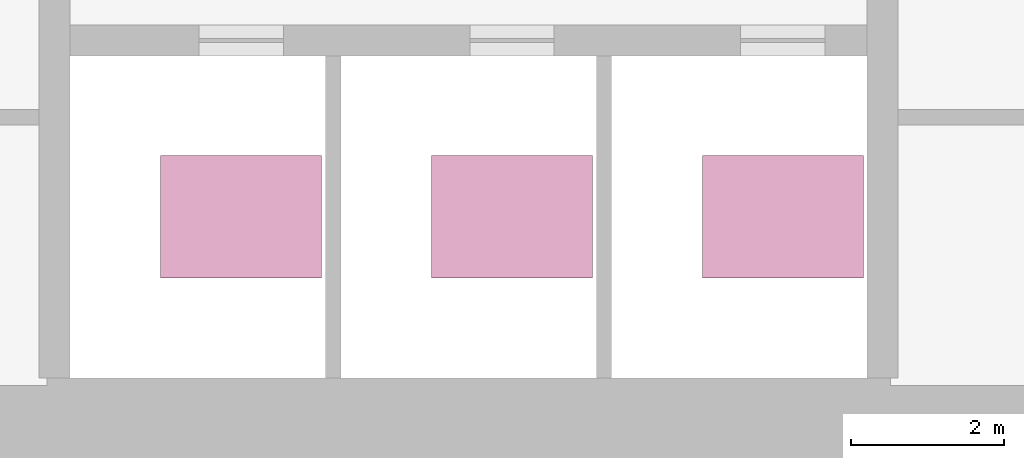
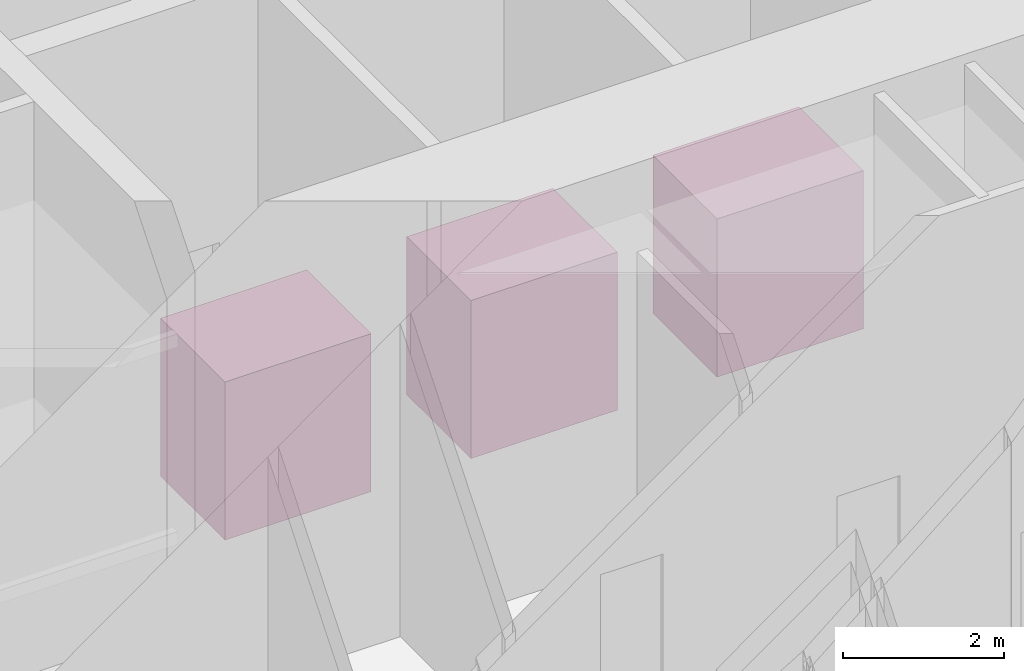
# One storey, part 21 of 21: 3 transport elements.
"""IFC4 building model written with IfcOpenShell, lengths in metres."""

import ifcopenshell
import ifcopenshell.guid

model = None  # the IFC model being written
_history = None  # IfcOwnerHistory: only IFC2X3 demands one
_inside = {}  # id of a spatial element -> (the spatial element, [elements in it])
_under = {}  # id of a project, library or spatial element -> (it, [spatial elements below it])
_declared = {}  # id of a project -> (the project, [libraries it declares])
_typed = {}  # id of a type object -> (the type object, [elements of that type])
_made_of = {}  # id of a material, layer set ... -> (it, [elements and type objects made of it])


def new_model(schema):
    """Start an empty IFC model of exactly this schema.

    Asked for "IFC4X3", IfcOpenShell would pick the latest addendum, in which some entities
    have other attributes; the version numbers below select the first issue.
    IFC2X3 requires an IfcOwnerHistory on every rooted entity: one is made here for all.
    """
    global model, _history
    if schema == "IFC4X3":
        model = ifcopenshell.file(schema_version=(4, 3, 0, 0))
    else:
        model = ifcopenshell.file(schema=schema)
    _inside.clear()
    _under.clear()
    _declared.clear()
    _typed.clear()
    _made_of.clear()
    _history = None
    if model.schema == "IFC2X3":
        org = make("IfcOrganization", Name="unknown")
        user = make(
            "IfcPersonAndOrganization",
            ThePerson=make("IfcPerson", FamilyName="unknown"),
            TheOrganization=org,
        )
        app = make(
            "IfcApplication",
            ApplicationDeveloper=org,
            Version="unknown",
            ApplicationFullName="unknown",
            ApplicationIdentifier="unknown",
        )
        _history = make(
            "IfcOwnerHistory",
            OwningUser=user,
            OwningApplication=app,
            ChangeAction="ADDED",
            CreationDate=0,
        )
    return model


def make(cls, **values):
    """One entity of the class cls with the attributes given. An attribute that is None is left unset."""
    return model.create_entity(
        cls, **{name: value for name, value in values.items() if value is not None}
    )


def rooted(cls, **values):
    """An entity with a GlobalId (a new one), such as an element, a storey or a relation."""
    return make(cls, GlobalId=ifcopenshell.guid.new(), OwnerHistory=_history, **values)


def si_unit(unit_type, name, prefix=None):
    """IfcSIUnit, for example si_unit("LENGTHUNIT", "METRE", prefix="MILLI")."""
    return make("IfcSIUnit", UnitType=unit_type, Prefix=prefix, Name=name)


def assignment(units):
    """IfcUnitAssignment: the units of a project."""
    return None if units is None else make("IfcUnitAssignment", Units=units)


def point(xyz):
    """IfcCartesianPoint."""
    return None if xyz is None else make("IfcCartesianPoint", Coordinates=xyz)


def direction(xyz):
    """IfcDirection."""
    return None if xyz is None else make("IfcDirection", DirectionRatios=xyz)


def frame(location, z_axis=None, x_axis=None):
    """IfcAxis2Placement3D, a coordinate frame: its origin and axes. An axis left out is left unset."""
    return make(
        "IfcAxis2Placement3D",
        Location=point(location),
        Axis=direction(z_axis),
        RefDirection=direction(x_axis),
    )


def frame_2d(location, x_axis=None):
    """IfcAxis2Placement2D, a coordinate frame in the plane: its origin and x axis."""
    return make(
        "IfcAxis2Placement2D", Location=point(location), RefDirection=direction(x_axis)
    )


def origin():
    """The frame at (0, 0, 0) with its axes left unset."""
    return frame((0.0, 0.0, 0.0))


def origin_2d():
    """The frame at (0, 0) in the plane with its x axis left unset."""
    return frame_2d((0.0, 0.0))


def place(relative_to, where):
    """IfcLocalPlacement: puts the frame where relative to a parent placement (None: the world)."""
    return make(
        "IfcLocalPlacement", PlacementRelTo=relative_to, RelativePlacement=where
    )


def context(
    kind, dimensions, precision=None, world=None, true_north=None, identifier=None
):
    """IfcGeometricRepresentationContext, for example the 3D "Model" context."""
    return make(
        "IfcGeometricRepresentationContext",
        ContextIdentifier=identifier,
        ContextType=kind,
        CoordinateSpaceDimension=dimensions,
        Precision=precision,
        WorldCoordinateSystem=world,
        TrueNorth=true_north,
    )


def subcontext(parent, identifier, kind, view, scale=None):
    """IfcGeometricRepresentationSubContext, for example "Body" below "Model"."""
    return make(
        "IfcGeometricRepresentationSubContext",
        ContextIdentifier=identifier,
        ContextType=kind,
        ParentContext=parent,
        TargetScale=scale,
        TargetView=view,
    )


def project(units=None, contexts=None):
    """IfcProject with its units and contexts."""
    return rooted(
        "IfcProject",
        Name="project",
        RepresentationContexts=contexts,
        UnitsInContext=assignment(units),
    )


def spatial(cls, under=None, at=None, **own):
    """A site, building, storey or space (cls), placed at a placement, below another one or the project."""
    s = rooted(cls, ObjectPlacement=at, **own)
    if under is not None:
        _under.setdefault(under.id(), (under, []))[1].append(s)
    return s


def profile(cls, at=None, kind="AREA", **sizes):
    """A parametric profile (cls). Its sizes go by their IFC names, for example OverallWidth=200.0."""
    return make(cls, ProfileType=kind, Position=at, **sizes)


def rectangle(**sizes):
    """IfcRectangleProfileDef."""
    return profile("IfcRectangleProfileDef", **sizes)


def extrude(swept, where, along, depth):
    """IfcExtrudedAreaSolid: the profile swept, set in the frame where, extruded along a direction by depth."""
    return make(
        "IfcExtrudedAreaSolid",
        SweptArea=swept,
        Position=where,
        ExtrudedDirection=direction(along),
        Depth=depth,
    )


def shape(context_of_items, identifier, shape_type, items):
    """IfcShapeRepresentation: the items that make up one representation, for example the "Body"."""
    return make(
        "IfcShapeRepresentation",
        ContextOfItems=context_of_items,
        RepresentationIdentifier=identifier,
        RepresentationType=shape_type,
        Items=items,
    )


def material(Name=None, Category=None):
    """IfcMaterial."""
    return make("IfcMaterial", Name=Name, Category=Category)


def made_of(thing, what):
    """Note that an element or type object is made of a material, layer set ...; save() writes the relation."""
    if what is not None:
        _made_of.setdefault(what.id(), (what, []))[1].append(thing)
    return thing


def type_object(cls, material=None, **own):
    """A type object (cls), such as IfcWallType, which elements share."""
    return made_of(rooted(cls, **own), material)


def element(
    cls,
    number,
    at=None,
    inside=None,
    cuts=None,
    type_object=None,
    material=None,
    context=None,
    identifier="Body",
    shape_type=None,
    held_by="IfcProductDefinitionShape",
    body=None,
    shapes=None,
    **own,
):
    """One element of the class cls, such as IfcWall. Its Tag is "e" and its number.

    at: its placement. inside: the storey or other place that contains it. cuts: it is an
    opening in that element (IfcRelVoidsElement). A single representation is given by context,
    identifier, shape_type and body (its items); several are given by shapes. held_by: the class
    of the entity that holds the representations. save() writes the other relations.
    """
    e = rooted(cls, Tag="e%d" % number, ObjectPlacement=at, **own)
    if body is not None:
        shapes = [shape(context, identifier, shape_type, body)]
    if shapes is not None:
        e.Representation = make(held_by, Representations=shapes)
    if inside is not None:
        _inside.setdefault(inside.id(), (inside, []))[1].append(e)
    if cuts is not None:
        rooted(
            "IfcRelVoidsElement", RelatingBuildingElement=cuts, RelatedOpeningElement=e
        )
    if type_object is not None:
        _typed.setdefault(type_object.id(), (type_object, []))[1].append(e)
    return made_of(e, material)


def aggregate(whole, parts):
    """IfcRelAggregates: a whole, such as a stair, and the parts it consists of."""
    return rooted("IfcRelAggregates", RelatingObject=whole, RelatedObjects=parts)


def save(model, path):
    """Write the relations noted so far, then the file.

    IfcRelAggregates (storeys below a building ...), IfcRelContainedInSpatialStructure (elements
    in a storey), IfcRelDefinesByType, IfcRelAssociatesMaterial and IfcRelDeclares: one each for
    every whole, place, type object, material and project.
    """
    for whole, parts in _under.values():
        aggregate(whole, parts)
    for where, things in _inside.values():
        rooted(
            "IfcRelContainedInSpatialStructure",
            RelatedElements=things,
            RelatingStructure=where,
        )
    for kind, things in _typed.values():
        rooted("IfcRelDefinesByType", RelatedObjects=things, RelatingType=kind)
    for what, things in _made_of.values():
        rooted("IfcRelAssociatesMaterial", RelatedObjects=things, RelatingMaterial=what)
    for by, libraries in _declared.values():
        rooted("IfcRelDeclares", RelatingContext=by, RelatedDefinitions=libraries)
    model.write(path)


model = new_model("IFC4")

# Units and contexts
model_context = context("Model", 3, precision=1e-05, world=origin(), true_north=direction((0.0, 1.0)))
body_context = subcontext(model_context, "Body", "Model", "MODEL_VIEW")
ifc_project = project(units=[si_unit("LENGTHUNIT", "METRE"), si_unit("AREAUNIT", "SQUARE_METRE"), si_unit("VOLUMEUNIT", "CUBIC_METRE"), si_unit("PLANEANGLEUNIT", "RADIAN"), si_unit("MASSUNIT", "GRAM", prefix="KILO")], contexts=[model_context])

# Site, building, storey
site_placement = place(None, origin())
site = spatial("IfcSite", under=ifc_project, at=site_placement, CompositionType="ELEMENT")
building_placement = place(site_placement, origin())
building = spatial("IfcBuilding", under=site, at=building_placement, Name="Lantaw Convention Tower", CompositionType="ELEMENT")
storey_placement = place(building_placement, frame((0.0, 0.0, 111.39990234375)))
storey = spatial("IfcBuildingStorey", under=building, at=storey_placement, Name="L26", CompositionType="ELEMENT", Elevation=111.39990234375)

# Transport elements
ifc_material = material(Name="Stainless steel car", Category="steel")
transport_element_type = type_object("IfcTransportElementType", Name="Office high-rise lift 2100x1600", PredefinedType="ELEVATOR", material=ifc_material)
for number, where, z_axis, x_axis, name in (
    (1, (-2.966552734375, -4.699951171875, 0.000244140625), (0.0, 0.0, 1.0), (1.0, 0.0, 0.0), "Office high-rise lift S1"),
    (2, (0.566650390625, -4.699951171875, 0.000244140625), (0.0, 0.0, 1.0), (1.0, 0.0, 0.0), "Office high-rise lift S2"),
    (3, (4.10009765625, -4.699951171875, 0.000244140625), (0.0, 0.0, 1.0), (1.0, 0.0, 0.0), "Office high-rise lift S3"),
):
    element("IfcTransportElement", number, at=place(storey_placement, frame(where, z_axis=z_axis, x_axis=x_axis)), inside=storey, type_object=transport_element_type, Name=name, PredefinedType="ELEVATOR", context=body_context, shape_type="SweptSolid", body=[
        extrude(rectangle(XDim=2.10009765625, YDim=1.60009765625, at=origin_2d()), origin(), (0.0, 0.0, 1.0), 2.39990234375),
    ])

save(model, "model.ifc")
